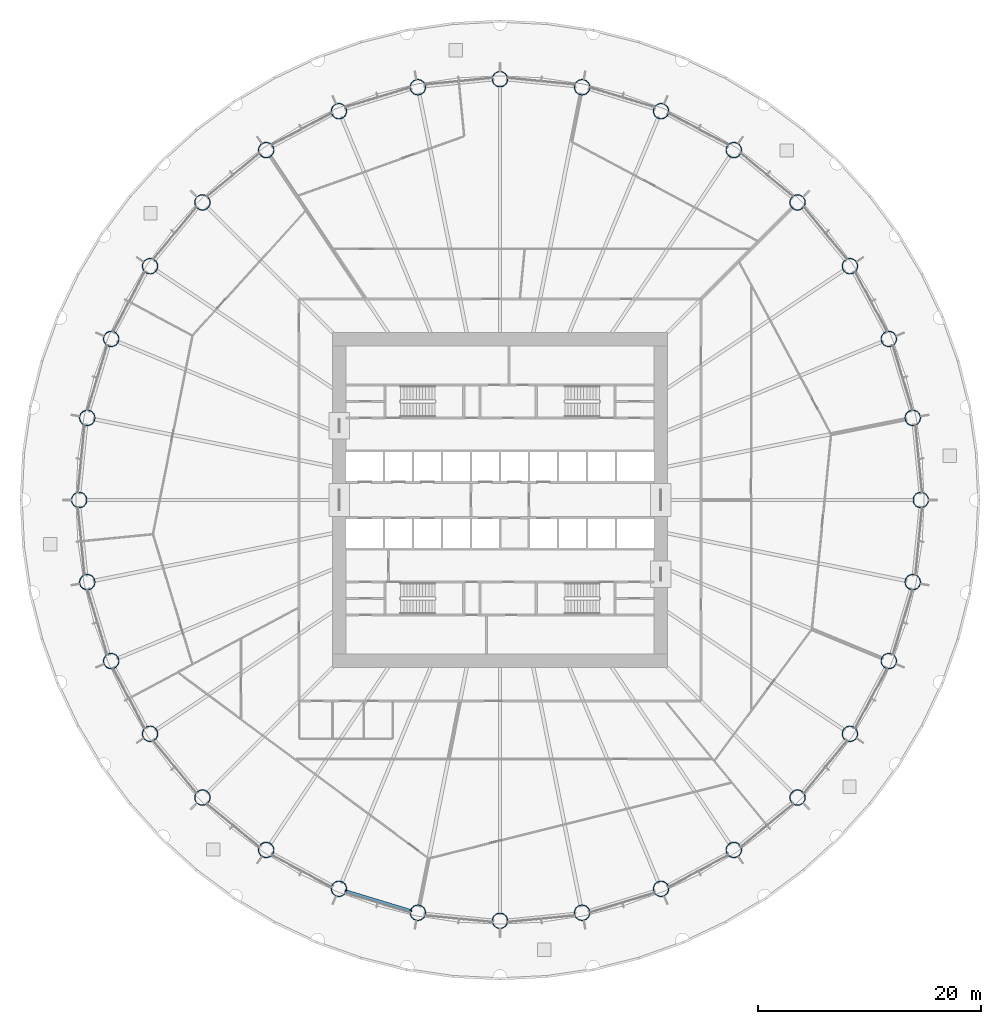
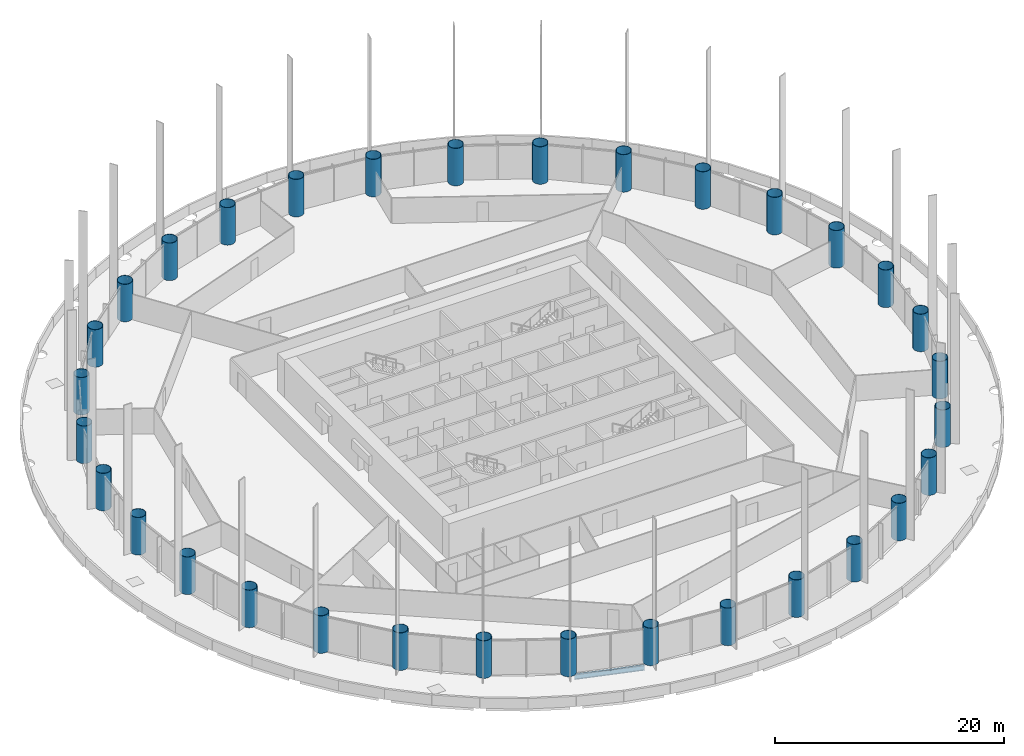
# One storey, part 1 of 17: 32 columns, 1 beam.
"""IFC4 building model written with IfcOpenShell, lengths in metres."""

from ifc_helpers import new_model, si_unit, direction, frame, origin, origin_2d, place, context, subcontext, project, spatial, hollow_circle, i_section, extrude, material, material_profile, profile_set, type_object, element, save


model = new_model("IFC4")

# Units and contexts
model_context = context("Model", 3, precision=1e-05, world=origin(), true_north=direction((0.0, 1.0)))
body_context = subcontext(model_context, "Body", "Model", "MODEL_VIEW")
ifc_project = project(units=[si_unit("LENGTHUNIT", "METRE"), si_unit("AREAUNIT", "SQUARE_METRE"), si_unit("VOLUMEUNIT", "CUBIC_METRE"), si_unit("PLANEANGLEUNIT", "RADIAN"), si_unit("MASSUNIT", "GRAM", prefix="KILO")], contexts=[model_context])

# Site, building, storey
site_placement = place(None, origin())
site = spatial("IfcSite", under=ifc_project, at=site_placement, CompositionType="ELEMENT")
building_placement = place(site_placement, origin())
building = spatial("IfcBuilding", under=site, at=building_placement, Name="Corvane Civic Tower", CompositionType="ELEMENT")
storey_placement = place(building_placement, frame((0.0, 0.0, 37.0)))
storey = spatial("IfcBuildingStorey", under=building, at=storey_placement, Name="L07", CompositionType="ELEMENT", Elevation=37.0)

# Columns
ifc_material_1 = material(Name="Steel ASTM A572 Gr 50", Category="steel")
ifc_material_profile_1 = material_profile(ifc_material_1, hollow_circle(Radius=0.699951171875, WallThickness=0.0400390625, at=origin_2d()), Name="CHS1400X40")
ifc_profile_set_1 = profile_set([ifc_material_profile_1], Name="Steel ASTM A572 Gr 50")
column_type = type_object("IfcColumnType", Name="COMPOSITE COLUMN CHS1400X40", PredefinedType="COLUMN", material=ifc_profile_set_1)
for number, where, z_axis, x_axis, name in (
    (1, (0.0, 37.699951171875, 0.0), (0.0, 0.0, 1.0), (1.0, 0.0, 0.0), "COL-L07-A01"),
    (2, (7.35498046875, 36.9755859375, 0.0), (0.0, 0.0, 1.0), (1.0, 0.0, 0.0), "COL-L07-A02"),
    (3, (14.42724609375, 34.830322265625, 0.0), (0.0, 0.0, 1.0), (1.0, 0.0, 0.0), "COL-L07-A03"),
    (4, (20.945068359375, 31.346435546875, 0.0), (0.0, 0.0, 1.0), (1.0, 0.0, 0.0), "COL-L07-A04"),
    (5, (26.657958984375, 26.657958984375, 0.0), (0.0, 0.0, 1.0), (1.0, 0.0, 0.0), "COL-L07-A05"),
    (6, (31.346435546875, 20.945068359375, 0.0), (0.0, 0.0, 1.0), (1.0, 0.0, 0.0), "COL-L07-A06"),
    (7, (34.830322265625, 14.42724609375, 0.0), (0.0, 0.0, 1.0), (1.0, 0.0, 0.0), "COL-L07-A07"),
    (8, (36.9755859375, 7.35498046875, 0.0), (0.0, 0.0, 1.0), (1.0, 0.0, 0.0), "COL-L07-A08"),
    (9, (37.699951171875, 0.0, 0.0), (0.0, 0.0, 1.0), (1.0, 0.0, 0.0), "COL-L07-A09"),
    (10, (36.9755859375, -7.35498046875, 0.0), (0.0, 0.0, 1.0), (1.0, 0.0, 0.0), "COL-L07-A10"),
    (11, (34.830322265625, -14.42724609375, 0.0), (0.0, 0.0, 1.0), (1.0, 0.0, 0.0), "COL-L07-A11"),
    (12, (31.346435546875, -20.945068359375, 0.0), (0.0, 0.0, 1.0), (1.0, 0.0, 0.0), "COL-L07-A12"),
    (13, (26.657958984375, -26.657958984375, 0.0), (0.0, 0.0, 1.0), (1.0, 0.0, 0.0), "COL-L07-A13"),
    (14, (20.945068359375, -31.346435546875, 0.0), (0.0, 0.0, 1.0), (1.0, 0.0, 0.0), "COL-L07-A14"),
    (15, (14.42724609375, -34.830322265625, 0.0), (0.0, 0.0, 1.0), (1.0, 0.0, 0.0), "COL-L07-A15"),
    (16, (7.35498046875, -36.9755859375, 0.0), (0.0, 0.0, 1.0), (1.0, 0.0, 0.0), "COL-L07-A16"),
    (17, (0.0, -37.699951171875, 0.0), (0.0, 0.0, 1.0), (1.0, 0.0, 0.0), "COL-L07-A17"),
    (18, (-7.35498046875, -36.9755859375, 0.0), (0.0, 0.0, 1.0), (1.0, 0.0, 0.0), "COL-L07-A18"),
    (19, (-14.42724609375, -34.830322265625, 0.0), (0.0, 0.0, 1.0), (1.0, 0.0, 0.0), "COL-L07-A19"),
    (20, (-20.945068359375, -31.346435546875, 0.0), (0.0, 0.0, 1.0), (1.0, 0.0, 0.0), "COL-L07-A20"),
    (21, (-26.657958984375, -26.657958984375, 0.0), (0.0, 0.0, 1.0), (1.0, 0.0, 0.0), "COL-L07-A21"),
    (22, (-31.346435546875, -20.945068359375, 0.0), (0.0, 0.0, 1.0), (1.0, 0.0, 0.0), "COL-L07-A22"),
    (23, (-34.830322265625, -14.42724609375, 0.0), (0.0, 0.0, 1.0), (1.0, 0.0, 0.0), "COL-L07-A23"),
    (24, (-36.9755859375, -7.35498046875, 0.0), (0.0, 0.0, 1.0), (1.0, 0.0, 0.0), "COL-L07-A24"),
    (25, (-37.699951171875, 0.0, 0.0), (0.0, 0.0, 1.0), (1.0, 0.0, 0.0), "COL-L07-A25"),
    (26, (-36.9755859375, 7.35498046875, 0.0), (0.0, 0.0, 1.0), (1.0, 0.0, 0.0), "COL-L07-A26"),
    (27, (-34.830322265625, 14.42724609375, 0.0), (0.0, 0.0, 1.0), (1.0, 0.0, 0.0), "COL-L07-A27"),
    (28, (-31.346435546875, 20.945068359375, 0.0), (0.0, 0.0, 1.0), (1.0, 0.0, 0.0), "COL-L07-A28"),
    (29, (-26.657958984375, 26.657958984375, 0.0), (0.0, 0.0, 1.0), (1.0, 0.0, 0.0), "COL-L07-A29"),
    (30, (-20.945068359375, 31.346435546875, 0.0), (0.0, 0.0, 1.0), (1.0, 0.0, 0.0), "COL-L07-A30"),
    (31, (-14.42724609375, 34.830322265625, 0.0), (0.0, 0.0, 1.0), (1.0, 0.0, 0.0), "COL-L07-A31"),
    (32, (-7.35498046875, 36.9755859375, 0.0), (0.0, 0.0, 1.0), (1.0, 0.0, 0.0), "COL-L07-A32"),
):
    element("IfcColumn", number, at=place(storey_placement, frame(where, z_axis=z_axis, x_axis=x_axis)), inside=storey, type_object=column_type, Name=name, PredefinedType="COLUMN", context=body_context, shape_type="SweptSolid", body=[
        extrude(hollow_circle(Radius=0.699951171875, WallThickness=0.0400390625, at=origin_2d()), origin(), (0.0, 0.0, 1.0), 4.0),
    ])

# Beam
ifc_material_2 = material(Name="Steel ASTM A992 Gr 50", Category="steel")
ifc_material_profile_2 = material_profile(ifc_material_2, i_section(OverallWidth=0.209228515625, OverallDepth=0.533447265625, WebThickness=0.01025390625, FlangeThickness=0.015625, at=origin_2d()), Name="W21X62")
ifc_profile_set_2 = profile_set([ifc_material_profile_2], Name="Steel ASTM A992 Gr 50")
beam_type = type_object("IfcBeamType", Name="EDGE BEAM W21X62", PredefinedType="BEAM", material=ifc_profile_set_2)
beam_placement = place(storey_placement, frame((-7.88134765625, -36.81591796875, -0.566650390625), z_axis=(-0.956943740748, 0.290273452184, 0.0), x_axis=(-0.290273452184, -0.956943740748, 0.0)))
element("IfcBeam", 33, at=beam_placement, inside=storey, type_object=beam_type, Name="BM-L07-E18", PredefinedType="BEAM", context=body_context, shape_type="SweptSolid", body=[
    extrude(i_section(OverallWidth=0.209228515625, OverallDepth=0.533447265625, WebThickness=0.01025390625, FlangeThickness=0.015625, at=origin_2d()), origin(), (0.0, 0.0, 1.0), 6.290283203125),
])

save(model, "model.ifc")
